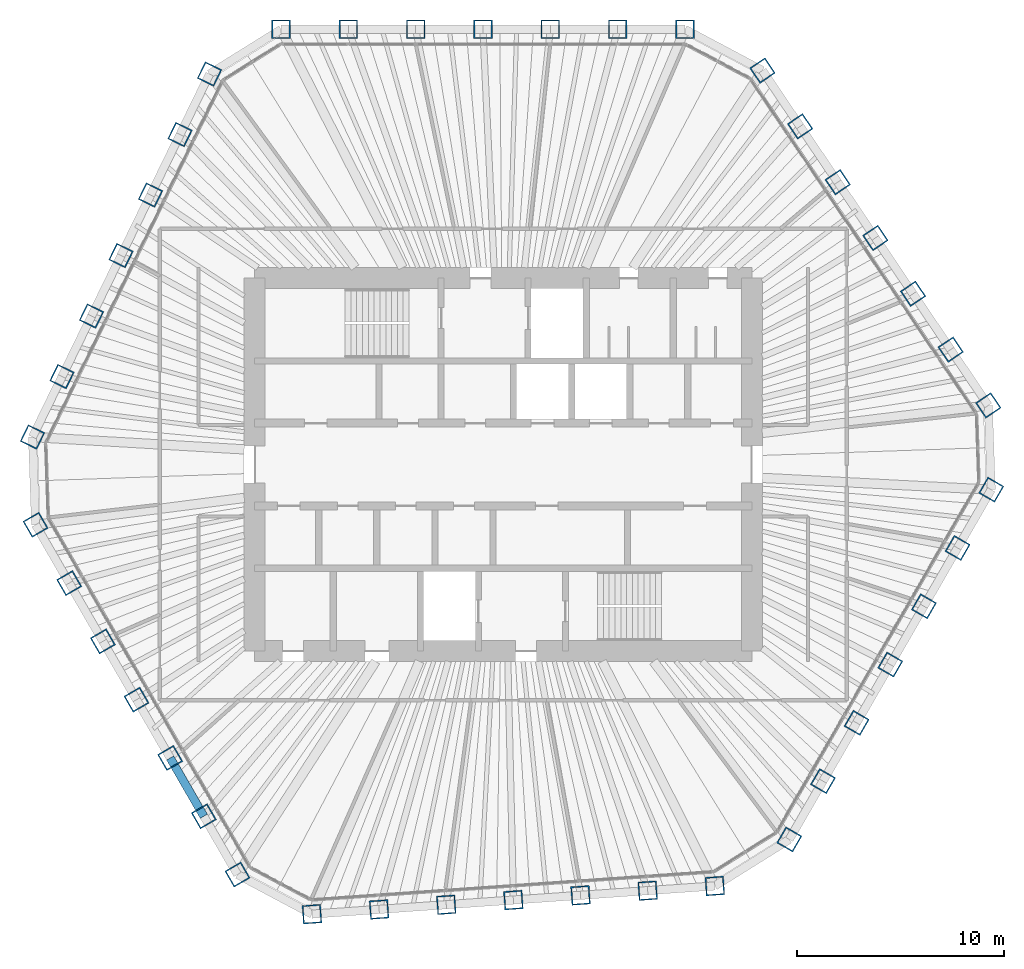
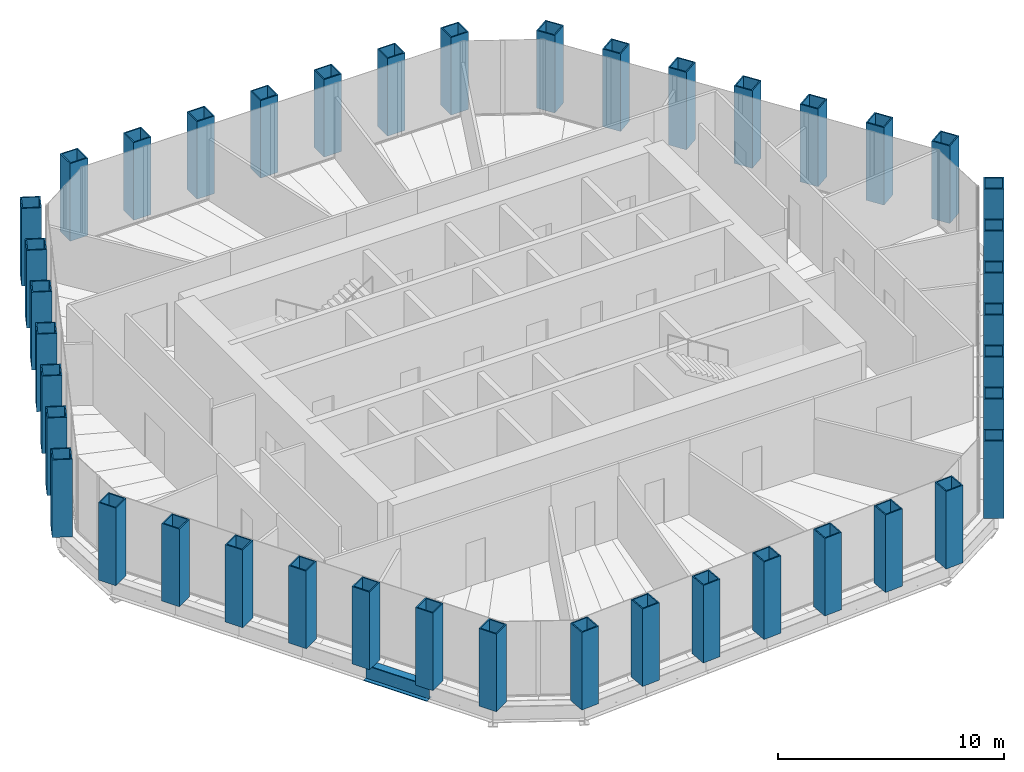
# One storey, part 1 of 14: 42 columns, 1 beam.
"""IFC4 building model written with IfcOpenShell, lengths in metres."""

from ifc_helpers import new_model, si_unit, direction, frame, origin, origin_2d, place, context, subcontext, project, spatial, hollow_rectangle, i_section, extrude, material, material_profile, profile_set, type_object, element, save


model = new_model("IFC4")

# Units and contexts
model_context = context("Model", 3, precision=1e-05, world=origin(), true_north=direction((0.0, 1.0)))
body_context = subcontext(model_context, "Body", "Model", "MODEL_VIEW")
ifc_project = project(units=[si_unit("LENGTHUNIT", "METRE"), si_unit("AREAUNIT", "SQUARE_METRE"), si_unit("VOLUMEUNIT", "CUBIC_METRE"), si_unit("PLANEANGLEUNIT", "RADIAN"), si_unit("MASSUNIT", "GRAM", prefix="KILO")], contexts=[model_context])

# Site, building, storey
site_placement = place(None, origin())
site = spatial("IfcSite", under=ifc_project, at=site_placement, CompositionType="ELEMENT")
building_placement = place(site_placement, origin())
building = spatial("IfcBuilding", under=site, at=building_placement, Name="Qingtian Harvest Tower", CompositionType="ELEMENT")
storey_placement = place(building_placement, frame((0.0, 0.0, 283.0)))
storey = spatial("IfcBuildingStorey", under=building, at=storey_placement, Name="L62", CompositionType="ELEMENT", Elevation=283.0)

# Columns
ifc_material_1 = material(Name="Steel SM570MC", Category="steel")
ifc_material_profile_1 = material_profile(ifc_material_1, hollow_rectangle(XDim=0.89990234375, YDim=0.89990234375, WallThickness=0.06005859375, at=origin_2d()), Name="BOX900x900x60")
ifc_profile_set_1 = profile_set([ifc_material_profile_1], Name="Steel SM570MC")
column_type = type_object("IfcColumnType", Name="Tube column TC7 BOX900x900x60", PredefinedType="COLUMN", material=ifc_profile_set_1)
for number, where, z_axis, x_axis, name in (
    (1, (-10.72216796875, 21.0, 0.0), (0.0, 0.0, 1.0), (-1.0, 0.0, 0.0), "Tube column TC7 N0"),
    (2, (-7.47412109375, 21.0, 0.0), (0.0, 0.0, 1.0), (-1.0, 0.0, 0.0), "Tube column TC7 N1"),
    (3, (-4.226318359375, 21.0, 0.0), (0.0, 0.0, 1.0), (-1.0, 0.0, 0.0), "Tube column TC7 N2"),
    (4, (-0.978271484375, 21.0, 0.0), (0.0, 0.0, 1.0), (-1.0, 0.0, 0.0), "Tube column TC7 N3"),
    (5, (2.269775390625, 21.0, 0.0), (0.0, 0.0, 1.0), (-1.0, 0.0, 0.0), "Tube column TC7 N4"),
    (6, (5.517822265625, 21.0, 0.0), (0.0, 0.0, 1.0), (-1.0, 0.0, 0.0), "Tube column TC7 N5"),
    (7, (8.765869140625, 21.0, 0.0), (0.0, 0.0, 1.0), (-1.0, 0.0, 0.0), "Tube column TC7 N6"),
    (8, (12.508056640625, 19.01025390625, 0.0), (0.0, 0.0, 1.0), (-0.559192903471, 0.829037572555, 0.0), "Tube column TC7 NE0"),
    (9, (14.32421875, 16.317626953125, 0.0), (0.0, 0.0, 1.0), (-0.559192903471, 0.829037572555, 0.0), "Tube column TC7 NE1"),
    (10, (16.140625, 13.624755859375, 0.0), (0.0, 0.0, 1.0), (-0.559192903471, 0.829037572555, 0.0), "Tube column TC7 NE2"),
    (11, (17.956787109375, 10.93212890625, 0.0), (0.0, 0.0, 1.0), (-0.559192903471, 0.829037572555, 0.0), "Tube column TC7 NE3"),
    (12, (19.77294921875, 8.2392578125, 0.0), (0.0, 0.0, 1.0), (-0.559192903471, 0.829037572555, 0.0), "Tube column TC7 NE4"),
    (13, (21.58935546875, 5.546630859375, 0.0), (0.0, 0.0, 1.0), (-0.559192903471, 0.829037572555, 0.0), "Tube column TC7 NE5"),
    (14, (23.405517578125, 2.85400390625, 0.0), (0.0, 0.0, 1.0), (-0.559192903471, 0.829037572555, 0.0), "Tube column TC7 NE6"),
    (15, (23.547607421875, -1.21435546875, 0.0), (0.0, 0.0, 1.0), (0.5, 0.866025403784, 0.0), "Tube column TC7 SE0"),
    (16, (21.923583984375, -4.027099609375, 0.0), (0.0, 0.0, 1.0), (0.5, 0.866025403784, 0.0), "Tube column TC7 SE1"),
    (17, (20.299560546875, -6.840087890625, 0.0), (0.0, 0.0, 1.0), (0.5, 0.866025403784, 0.0), "Tube column TC7 SE2"),
    (18, (18.675537109375, -9.65283203125, 0.0), (0.0, 0.0, 1.0), (0.5, 0.866025403784, 0.0), "Tube column TC7 SE3"),
    (19, (17.051513671875, -12.4658203125, 0.0), (0.0, 0.0, 1.0), (0.5, 0.866025403784, 0.0), "Tube column TC7 SE4"),
    (20, (15.427490234375, -15.278564453125, 0.0), (0.0, 0.0, 1.0), (0.5, 0.866025403784, 0.0), "Tube column TC7 SE5"),
    (21, (13.803466796875, -18.091552734375, 0.0), (0.0, 0.0, 1.0), (0.5, 0.866025403784, 0.0), "Tube column TC7 SE6"),
    (22, (10.20947265625, -20.33740234375, 0.0), (0.0, 0.0, 1.0), (0.99756405026, 0.069756473744, 0.0), "Tube column TC7 S0"),
    (23, (6.96923828125, -20.56396484375, 0.0), (0.0, 0.0, 1.0), (0.99756405026, 0.069756473744, 0.0), "Tube column TC7 S1"),
    (24, (3.729248046875, -20.79052734375, 0.0), (0.0, 0.0, 1.0), (0.99756405026, 0.069756473744, 0.0), "Tube column TC7 S2"),
    (25, (0.489013671875, -21.01708984375, 0.0), (0.0, 0.0, 1.0), (0.99756405026, 0.069756473744, 0.0), "Tube column TC7 S3"),
    (26, (-2.7509765625, -21.24365234375, 0.0), (0.0, 0.0, 1.0), (0.99756405026, 0.069756473744, 0.0), "Tube column TC7 S4"),
    (27, (-5.9912109375, -21.47021484375, 0.0), (0.0, 0.0, 1.0), (0.99756405026, 0.069756473744, 0.0), "Tube column TC7 S5"),
    (28, (-9.231201171875, -21.69677734375, 0.0), (0.0, 0.0, 1.0), (0.99756405026, 0.069756473744, 0.0), "Tube column TC7 S6"),
    (29, (-12.825439453125, -19.78564453125, 0.0), (0.0, 0.0, 1.0), (0.5, -0.866025403784, 0.0), "Tube column TC7 SW0"),
    (30, (-14.449462890625, -16.972900390625, 0.0), (0.0, 0.0, 1.0), (0.5, -0.866025403784, 0.0), "Tube column TC7 SW1"),
    (31, (-16.073486328125, -14.159912109375, 0.0), (0.0, 0.0, 1.0), (0.5, -0.866025403784, 0.0), "Tube column TC7 SW2"),
    (32, (-17.697509765625, -11.34716796875, 0.0), (0.0, 0.0, 1.0), (0.5, -0.866025403784, 0.0), "Tube column TC7 SW3"),
    (33, (-19.321533203125, -8.5341796875, 0.0), (0.0, 0.0, 1.0), (0.5, -0.866025403784, 0.0), "Tube column TC7 SW4"),
    (34, (-20.945556640625, -5.721435546875, 0.0), (0.0, 0.0, 1.0), (0.5, -0.866025403784, 0.0), "Tube column TC7 SW5"),
    (35, (-22.569580078125, -2.908447265625, 0.0), (0.0, 0.0, 1.0), (0.5, -0.866025403784, 0.0), "Tube column TC7 SW6"),
    (36, (-22.71728515625, 1.3271484375, 0.0), (0.0, 0.0, 1.0), (-0.438371146789, -0.898794046299, 0.0), "Tube column TC7 NW0"),
    (37, (-21.29345703125, 4.246337890625, 0.0), (0.0, 0.0, 1.0), (-0.438371146789, -0.898794046299, 0.0), "Tube column TC7 NW1"),
    (38, (-19.86962890625, 7.165771484375, 0.0), (0.0, 0.0, 1.0), (-0.438371146789, -0.898794046299, 0.0), "Tube column TC7 NW2"),
    (39, (-18.44580078125, 10.0849609375, 0.0), (0.0, 0.0, 1.0), (-0.438371146789, -0.898794046299, 0.0), "Tube column TC7 NW3"),
    (40, (-17.02197265625, 13.00439453125, 0.0), (0.0, 0.0, 1.0), (-0.438371146789, -0.898794046299, 0.0), "Tube column TC7 NW4"),
    (41, (-15.59814453125, 15.923583984375, 0.0), (0.0, 0.0, 1.0), (-0.438371146789, -0.898794046299, 0.0), "Tube column TC7 NW5"),
    (42, (-14.17431640625, 18.8427734375, 0.0), (0.0, 0.0, 1.0), (-0.438371146789, -0.898794046299, 0.0), "Tube column TC7 NW6"),
):
    element("IfcColumn", number, at=place(storey_placement, frame(where, z_axis=z_axis, x_axis=x_axis)), inside=storey, type_object=column_type, Name=name, PredefinedType="COLUMN", context=body_context, shape_type="SweptSolid", body=[
        extrude(hollow_rectangle(XDim=0.89990234375, YDim=0.89990234375, WallThickness=0.06005859375, at=origin_2d()), origin(), (0.0, 0.0, 1.0), 4.199951171875),
    ])

# Beam
ifc_material_2 = material(Name="Steel SN490B", Category="steel")
ifc_material_profile_2 = material_profile(ifc_material_2, i_section(OverallWidth=0.39990234375, OverallDepth=0.89990234375, WebThickness=0.01904296875, FlangeThickness=0.035888671875, at=origin_2d()), Name="H900x400x19x36")
ifc_profile_set_2 = profile_set([ifc_material_profile_2], Name="Steel SN490B")
beam_type = type_object("IfcBeamType", Name="Spandrel beam SB4 H900x400x19x36", PredefinedType="SPANDREL", material=ifc_profile_set_2)
beam_placement = place(storey_placement, frame((-14.449462890625, -16.972900390625, -0.449951171875), z_axis=(-0.499987045439, 0.866032882975, 0.0), x_axis=(-0.866032882975, -0.499987045439, 0.0)))
element("IfcBeam", 43, at=beam_placement, inside=storey, type_object=beam_type, Name="Spandrel SB4 SW1", PredefinedType="SPANDREL", context=body_context, shape_type="SweptSolid", body=[
    extrude(i_section(OverallWidth=0.39990234375, OverallDepth=0.89990234375, WebThickness=0.01904296875, FlangeThickness=0.035888671875, at=origin_2d()), origin(), (0.0, 0.0, 1.0), 3.248046875),
])

save(model, "model.ifc")
